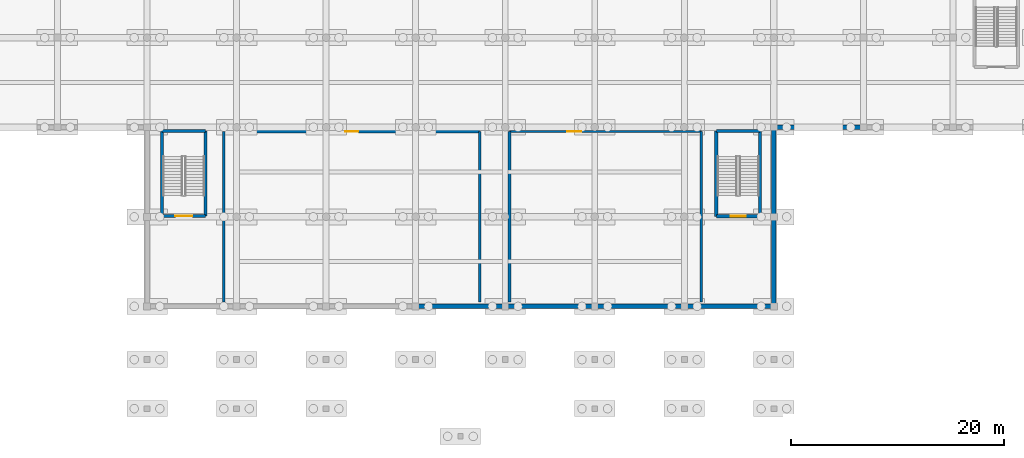
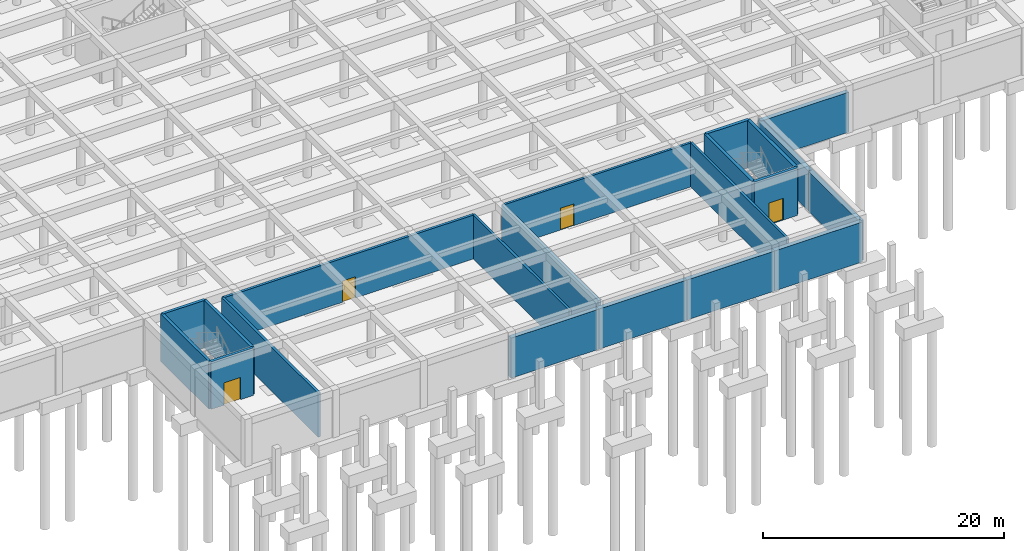
# One storey, part 25 of 51: 21 walls, 4 doors, 4 openings.
"""IFC4 building model written with IfcOpenShell, lengths in metres."""

from ifc_helpers import new_model, si_unit, direction, frame, frame_2d, origin, place, context, subcontext, project, spatial, rectangle, extrude, material, layer, layer_set, type_object, element, fill, save


model = new_model("IFC4")

# Units and contexts
model_context = context("Model", 3, precision=1e-05, world=origin(), true_north=direction((0.0, 1.0)))
body_context = subcontext(model_context, "Body", "Model", "MODEL_VIEW")
ifc_project = project(units=[si_unit("LENGTHUNIT", "METRE"), si_unit("AREAUNIT", "SQUARE_METRE"), si_unit("VOLUMEUNIT", "CUBIC_METRE"), si_unit("PLANEANGLEUNIT", "RADIAN"), si_unit("MASSUNIT", "GRAM", prefix="KILO")], contexts=[model_context])

# Site, building, storey
site_placement = place(None, origin())
site = spatial("IfcSite", under=ifc_project, at=site_placement, CompositionType="ELEMENT")
building_placement = place(site_placement, origin())
building = spatial("IfcBuilding", under=site, at=building_placement, Name="Varncliffe General Hospital", CompositionType="ELEMENT")
storey_placement = place(building_placement, frame((0.0, 0.0, -4.800048828125)))
storey = spatial("IfcBuildingStorey", under=building, at=storey_placement, Name="B1", CompositionType="ELEMENT", Elevation=-4.800048828125)

# Walls
ifc_material_1 = material(Name="Concrete C40/50 (CSA A23.1 40 MPa)", Category="concrete")
ifc_layer_1 = layer(ifc_material_1, 0.419921875)
ifc_layer_set_1 = layer_set([ifc_layer_1], Name="Concrete C40/50 (CSA A23.1 40 MPa)")
wall_type_1 = type_object("IfcWallType", Name="Exterior Insulated Stucco Wall EW28 (420mm)", PredefinedType="SOLIDWALL", material=ifc_layer_set_1)
for number, where, z_axis, x_axis, name in (
    (1, (126.0, 24.0, 0.0), (0.0, 0.0, 1.0), (-1.0, 0.0, 0.0), "B1 Perimeter Retaining Wall 60"),
    (2, (117.60009765625, 24.0, 0.0), (0.0, 0.0, 1.0), (0.0, -1.0, 0.0), "B1 Perimeter Retaining Wall 61"),
):
    element("IfcWall", number, at=place(storey_placement, frame(where, z_axis=z_axis, x_axis=x_axis)), inside=storey, type_object=wall_type_1, Name=name, PredefinedType="SOLIDWALL", context=body_context, shape_type="SweptSolid", body=[
        extrude(rectangle(XDim=8.39990234375, YDim=0.419921875, at=frame_2d((4.199951171875, 0.0))), origin(), (0.0, 0.0, 1.0), 4.050048828125),
    ])
for number, where, z_axis, x_axis, name in (
    (3, (117.60009765625, 15.60009765625, 0.0), (0.0, 0.0, 1.0), (0.0, -1.0, 0.0), "B1 Perimeter Retaining Wall 62"),
    (4, (117.60009765625, 7.199951171875, 0.0), (0.0, 0.0, 1.0), (-1.0, 0.0, 0.0), "B1 Perimeter Retaining Wall 63"),
):
    element("IfcWall", number, at=place(storey_placement, frame(where, z_axis=z_axis, x_axis=x_axis)), inside=storey, type_object=wall_type_1, Name=name, PredefinedType="SOLIDWALL", context=body_context, shape_type="SweptSolid", body=[
        extrude(rectangle(XDim=8.400146484375, YDim=0.419921875, at=frame_2d((4.2001953125, 0.0))), origin(), (0.0, 0.0, 1.0), 4.050048828125),
    ])
wall_1_placement = place(storey_placement, frame((109.199951171875, 7.199951171875, 0.0), z_axis=(0.0, 0.0, 1.0), x_axis=(-1.0, 0.0, 0.0)))
element("IfcWall", 5, at=wall_1_placement, inside=storey, type_object=wall_type_1, Name="B1 Perimeter Retaining Wall 64", PredefinedType="SOLIDWALL", context=body_context, shape_type="SweptSolid", body=[
    extrude(rectangle(XDim=8.39990234375, YDim=0.419921875, at=frame_2d((4.199951171875, 0.0))), origin(), (0.0, 0.0, 1.0), 4.050048828125),
])
wall_2_placement = place(storey_placement, frame((100.800048828125, 7.199951171875, 0.0), z_axis=(0.0, 0.0, 1.0), x_axis=(-1.0, 0.0, 0.0)))
element("IfcWall", 6, at=wall_2_placement, inside=storey, type_object=wall_type_1, Name="B1 Perimeter Retaining Wall 65", PredefinedType="SOLIDWALL", context=body_context, shape_type="SweptSolid", body=[
    extrude(rectangle(XDim=8.400146484375, YDim=0.419921875, at=frame_2d((4.2001953125, 0.0))), origin(), (0.0, 0.0, 1.0), 4.050048828125),
])
wall_3_placement = place(storey_placement, frame((92.39990234375, 7.199951171875, 0.0), z_axis=(0.0, 0.0, 1.0), x_axis=(-1.0, 0.0, 0.0)))
element("IfcWall", 7, at=wall_3_placement, inside=storey, type_object=wall_type_1, Name="B1 Perimeter Retaining Wall 66", PredefinedType="SOLIDWALL", context=body_context, shape_type="SweptSolid", body=[
    extrude(rectangle(XDim=8.39990234375, YDim=0.419921875, at=frame_2d((4.199951171875, 0.0))), origin(), (0.0, 0.0, 1.0), 4.050048828125),
])

# Wall, opening, door
ifc_material_2 = material(Name="Fire-rated gypsum and mineral-wool partition assembly", Category="gypsum")
ifc_layer_2 = layer(ifc_material_2, 0.25)
ifc_layer_set_2 = layer_set([ifc_layer_2], Name="Fire-rated gypsum and mineral-wool partition assembly")
wall_type_2 = type_object("IfcWallType", Name="Interior Partitioning PW38 (250mm)", PredefinedType="PARTITIONING", material=ifc_layer_set_2)
wall_4_placement = place(storey_placement, frame((66.0, 23.60009765625, 0.0), z_axis=(0.0, 0.0, 1.0), x_axis=(1.0, 0.0, 0.0)))
wall_4 = element("IfcWall", 8, at=wall_4_placement, inside=storey, type_object=wall_type_2, Name="B1 Interior Partition Wall PW38-3", PredefinedType="PARTITIONING", context=body_context, shape_type="SweptSolid", body=[
    extrude(rectangle(XDim=24.0, YDim=0.25, at=frame_2d((12.0, 0.0))), origin(), (0.0, 0.0, 1.0), 4.43994140625),
])
opening_1_placement = place(wall_4_placement, frame((11.375, 0.0, 0.0)))
opening_1 = element("IfcOpeningElement", 9, at=opening_1_placement, cuts=wall_4, Name="Opening DC44", PredefinedType="OPENING", context=body_context, shape_type="SweptSolid", body=[
    extrude(rectangle(XDim=1.25, YDim=2.14990234375, at=frame_2d((0.625, 1.074951171875))), frame((0.0, 0.135009765625, 0.0), z_axis=(0.0, -1.0, 0.0), x_axis=(1.0, 0.0, 0.0)), (0.0, 0.0, 1.0), 0.27001953125),
])
ifc_material_3 = material(Name="Fire-rated hospital steel-frame vision-panel door", Category="steel")
door_type_1 = type_object("IfcDoorType", Name="Interior Hospital Door DC44 (1250x2150)", OperationType="NOTDEFINED", PredefinedType="DOOR", material=ifc_material_3)
door_1_placement = place(opening_1_placement, frame((1.25, 0.0, 0.0), z_axis=(0.0, 0.0, 1.0), x_axis=(-1.0, 0.0, 0.0)))
door_1 = element("IfcDoor", 10, at=door_1_placement, inside=storey, type_object=door_type_1, Name="B1 Concourse Mechanical AHU Plant Room Door", OperationType="SINGLE_SWING_RIGHT", OverallHeight=2.14990234375, OverallWidth=1.25, PredefinedType="DOOR", context=body_context, shape_type="SweptSolid", body=[
    extrude(rectangle(XDim=1.25, YDim=2.14990234375, at=frame_2d((0.625, 1.074951171875))), frame((0.0, 0.02490234375, 0.0), z_axis=(0.0, -1.0, 0.0), x_axis=(1.0, 0.0, 0.0)), (0.0, 0.0, 1.0), 0.050048828125),
])
fill(opening_1, door_1)

# Walls
for number, where, z_axis, x_axis, name in (
    (11, (66.0, 7.60009765625, 0.0), (0.0, 0.0, 1.0), (0.0, 1.0, 0.0), "B1 Interior Partition Wall PW38-55"),
    (12, (92.800048828125, 7.60009765625, 0.0), (0.0, 0.0, 1.0), (0.0, 1.0, 0.0), "B1 Interior Partition Wall PW38-57"),
):
    element("IfcWall", number, at=place(storey_placement, frame(where, z_axis=z_axis, x_axis=x_axis)), inside=storey, type_object=wall_type_2, Name=name, PredefinedType="PARTITIONING", context=body_context, shape_type="SweptSolid", body=[
        extrude(rectangle(XDim=16.0, YDim=0.25, at=frame_2d((8.0, 0.0))), origin(), (0.0, 0.0, 1.0), 4.43994140625),
    ])

# Wall, opening, door
ifc_layer_3 = layer(ifc_material_2, 0.22998046875)
ifc_layer_set_3 = layer_set([ifc_layer_3], Name="Fire-rated gypsum and mineral-wool partition assembly")
wall_type_3 = type_object("IfcWallType", Name="Interior Partitioning PW48 (230mm)", PredefinedType="PARTITIONING", material=ifc_layer_set_3)
wall_5_placement = place(storey_placement, frame((92.800048828125, 23.60009765625, 0.0), z_axis=(0.0, 0.0, 1.0), x_axis=(1.0, 0.0, 0.0)))
wall_5 = element("IfcWall", 13, at=wall_5_placement, inside=storey, type_object=wall_type_3, Name="B1 Interior Partition Wall PW48-4", PredefinedType="PARTITIONING", context=body_context, shape_type="SweptSolid", body=[
    extrude(rectangle(XDim=18.0, YDim=0.22998046875, at=frame_2d((9.0, 0.0))), origin(), (0.0, 0.0, 1.0), 4.43994140625),
])
opening_2_placement = place(wall_5_placement, frame((5.430419921875, 0.0, 0.0)))
opening_2 = element("IfcOpeningElement", 14, at=opening_2_placement, cuts=wall_5, Name="Opening DC88", PredefinedType="OPENING", context=body_context, shape_type="SweptSolid", body=[
    extrude(rectangle(XDim=1.300048828125, YDim=2.199951171875, at=frame_2d((0.64990234375, 1.10009765625))), frame((0.0, 0.125, 0.0), z_axis=(0.0, -1.0, 0.0), x_axis=(1.0, 0.0, 0.0)), (0.0, 0.0, 1.0), 0.25),
])
door_type_2 = type_object("IfcDoorType", Name="Interior Hospital Door DC88 (1300x2200)", OperationType="NOTDEFINED", PredefinedType="DOOR", material=ifc_material_3)
door_2_placement = place(opening_2_placement, frame((1.300048828125, 0.0, 0.0), z_axis=(0.0, 0.0, 1.0), x_axis=(-1.0, 0.0, 0.0)))
door_2 = element("IfcDoor", 15, at=door_2_placement, inside=storey, type_object=door_type_2, Name="B1 Concourse Electrical Switchroom Door", OperationType="SINGLE_SWING_LEFT", OverallHeight=2.199951171875, OverallWidth=1.300048828125, PredefinedType="DOOR", context=body_context, shape_type="SweptSolid", body=[
    extrude(rectangle(XDim=1.300048828125, YDim=2.199951171875, at=frame_2d((0.64990234375, 1.10009765625))), frame((0.0, 0.02490234375, 0.0), z_axis=(0.0, -1.0, 0.0), x_axis=(1.0, 0.0, 0.0)), (0.0, 0.0, 1.0), 0.050048828125),
])
fill(opening_2, door_2)

# Walls
for number, where, z_axis, x_axis, name in (
    (16, (90.0, 7.60009765625, 0.0), (0.0, 0.0, 1.0), (0.0, 1.0, 0.0), "B1 Interior Partition Wall PW48-56"),
    (17, (110.800048828125, 7.60009765625, 0.0), (0.0, 0.0, 1.0), (0.0, 1.0, 0.0), "B1 Interior Partition Wall PW48-58"),
):
    element("IfcWall", number, at=place(storey_placement, frame(where, z_axis=z_axis, x_axis=x_axis)), inside=storey, type_object=wall_type_3, Name=name, PredefinedType="PARTITIONING", context=body_context, shape_type="SweptSolid", body=[
        extrude(rectangle(XDim=16.0, YDim=0.22998046875, at=frame_2d((8.0, 0.0))), origin(), (0.0, 0.0, 1.0), 4.43994140625),
    ])
ifc_layer_4 = layer(ifc_material_1, 0.300048828125)
ifc_layer_set_4 = layer_set([ifc_layer_4], Name="Concrete C40/50 (CSA A23.1 40 MPa)")
wall_type_4 = type_object("IfcWallType", Name="Reinforced Concrete Core Shear Wall CW12 (300mm)", PredefinedType="SHEAR", material=ifc_layer_set_4)
wall_6_placement = place(storey_placement, frame((116.300048828125, 15.64990234375, 0.0), z_axis=(0.0, 0.0, 1.0), x_axis=(0.0, 1.0, 0.0)))
element("IfcWall", 18, at=wall_6_placement, inside=storey, type_object=wall_type_4, Name="B1 ST10 Core Shear Wall L", PredefinedType="SHEAR", context=body_context, shape_type="SweptSolid", body=[
    extrude(rectangle(XDim=8.0, YDim=0.300048828125, at=frame_2d((4.0, 0.0))), origin(), (0.0, 0.0, 1.0), 4.800048828125),
])
wall_7_placement = place(storey_placement, frame((116.300048828125, 23.64990234375, 0.0), z_axis=(0.0, 0.0, 1.0), x_axis=(-1.0, 0.0, 0.0)))
element("IfcWall", 19, at=wall_7_placement, inside=storey, type_object=wall_type_4, Name="B1 ST10 Core Shear Wall F", PredefinedType="SHEAR", context=body_context, shape_type="SweptSolid", body=[
    extrude(rectangle(XDim=4.10009765625, YDim=0.300048828125, at=frame_2d((2.050048828125, 0.0))), origin(), (0.0, 0.0, 1.0), 4.800048828125),
])
wall_8_placement = place(storey_placement, frame((112.199951171875, 23.64990234375, 0.0), z_axis=(0.0, 0.0, 1.0), x_axis=(0.0, -1.0, 0.0)))
element("IfcWall", 20, at=wall_8_placement, inside=storey, type_object=wall_type_4, Name="B1 ST10 Core Shear Wall R", PredefinedType="SHEAR", context=body_context, shape_type="SweptSolid", body=[
    extrude(rectangle(XDim=8.0, YDim=0.300048828125, at=frame_2d((4.0, 0.0))), origin(), (0.0, 0.0, 1.0), 4.800048828125),
])

# Wall, opening, door
wall_9_placement = place(storey_placement, frame((112.199951171875, 15.64990234375, 0.0), z_axis=(0.0, 0.0, 1.0), x_axis=(1.0, 0.0, 0.0)))
wall_9 = element("IfcWall", 21, at=wall_9_placement, inside=storey, type_object=wall_type_4, Name="B1 ST10 Core Shear Wall N", PredefinedType="SHEAR", context=body_context, shape_type="SweptSolid", body=[
    extrude(rectangle(XDim=4.10009765625, YDim=0.300048828125, at=frame_2d((2.050048828125, 0.0))), origin(), (0.0, 0.0, 1.0), 4.800048828125),
])
opening_3_placement = place(wall_9_placement, frame((1.35009765625, 0.0, 0.0)))
opening_3 = element("IfcOpeningElement", 22, at=opening_3_placement, cuts=wall_9, Name="Opening DF81", PredefinedType="OPENING", context=body_context, shape_type="SweptSolid", body=[
    extrude(rectangle(XDim=1.39990234375, YDim=2.199951171875, at=frame_2d((0.699951171875, 1.10009765625))), frame((0.0, 0.16015625, 0.0), z_axis=(0.0, -1.0, 0.0), x_axis=(1.0, 0.0, 0.0)), (0.0, 0.0, 1.0), 0.320068359375),
])
door_type_3 = type_object("IfcDoorType", Name="Interior Hospital Door DF81 (1400x2200)", OperationType="NOTDEFINED", PredefinedType="DOOR", material=ifc_material_3)
door_3_placement = place(opening_3_placement, frame((1.39990234375, 0.0, 0.0), z_axis=(0.0, 0.0, 1.0), x_axis=(-1.0, 0.0, 0.0)))
door_3 = element("IfcDoor", 23, at=door_3_placement, inside=storey, type_object=door_type_3, Name="B1 ST10 Protected Exit Stair Door", OperationType="SINGLE_SWING_RIGHT", OverallHeight=2.199951171875, OverallWidth=1.39990234375, PredefinedType="DOOR", context=body_context, shape_type="SweptSolid", body=[
    extrude(rectangle(XDim=1.39990234375, YDim=2.199951171875, at=frame_2d((0.699951171875, 1.10009765625))), frame((0.0, 0.02490234375, 0.0), z_axis=(0.0, -1.0, 0.0), x_axis=(1.0, 0.0, 0.0)), (0.0, 0.0, 1.0), 0.050048828125),
])
fill(opening_3, door_3)

# Walls
ifc_layer_5 = layer(ifc_material_1, 0.280029296875)
ifc_layer_set_5 = layer_set([ifc_layer_5], Name="Concrete C40/50 (CSA A23.1 40 MPa)")
wall_type_5 = type_object("IfcWallType", Name="Reinforced Concrete Core Shear Wall CW13 (280mm)", PredefinedType="SHEAR", material=ifc_layer_set_5)
wall_10_placement = place(storey_placement, frame((64.2900390625, 15.659912109375, 0.0), z_axis=(0.0, 0.0, 1.0), x_axis=(0.0, 1.0, 0.0)))
element("IfcWall", 24, at=wall_10_placement, inside=storey, type_object=wall_type_5, Name="B1 ST09 Core Shear Wall L", PredefinedType="SHEAR", context=body_context, shape_type="SweptSolid", body=[
    extrude(rectangle(XDim=7.97998046875, YDim=0.280029296875, at=frame_2d((3.989990234375, 0.0))), origin(), (0.0, 0.0, 1.0), 4.800048828125),
])
wall_11_placement = place(storey_placement, frame((64.2900390625, 23.639892578125, 0.0), z_axis=(0.0, 0.0, 1.0), x_axis=(-1.0, 0.0, 0.0)))
element("IfcWall", 25, at=wall_11_placement, inside=storey, type_object=wall_type_5, Name="B1 ST09 Core Shear Wall F", PredefinedType="SHEAR", context=body_context, shape_type="SweptSolid", body=[
    extrude(rectangle(XDim=4.080078125, YDim=0.280029296875, at=frame_2d((2.0400390625, 0.0))), origin(), (0.0, 0.0, 1.0), 4.800048828125),
])
wall_12_placement = place(storey_placement, frame((60.2099609375, 23.639892578125, 0.0), z_axis=(0.0, 0.0, 1.0), x_axis=(0.0, -1.0, 0.0)))
element("IfcWall", 26, at=wall_12_placement, inside=storey, type_object=wall_type_5, Name="B1 ST09 Core Shear Wall R", PredefinedType="SHEAR", context=body_context, shape_type="SweptSolid", body=[
    extrude(rectangle(XDim=7.97998046875, YDim=0.280029296875, at=frame_2d((3.989990234375, 0.0))), origin(), (0.0, 0.0, 1.0), 4.800048828125),
])

# Wall, opening, door
wall_13_placement = place(storey_placement, frame((60.2099609375, 15.659912109375, 0.0), z_axis=(0.0, 0.0, 1.0), x_axis=(1.0, 0.0, 0.0)))
wall_13 = element("IfcWall", 27, at=wall_13_placement, inside=storey, type_object=wall_type_5, Name="B1 ST09 Core Shear Wall N", PredefinedType="SHEAR", context=body_context, shape_type="SweptSolid", body=[
    extrude(rectangle(XDim=4.080078125, YDim=0.280029296875, at=frame_2d((2.0400390625, 0.0))), origin(), (0.0, 0.0, 1.0), 4.800048828125),
])
opening_4_placement = place(wall_13_placement, frame((1.239990234375, 0.0, 0.0)))
opening_4 = element("IfcOpeningElement", 28, at=opening_4_placement, cuts=wall_13, Name="Opening DF27", PredefinedType="OPENING", context=body_context, shape_type="SweptSolid", body=[
    extrude(rectangle(XDim=1.60009765625, YDim=2.25, at=frame_2d((0.800048828125, 1.125))), frame((0.0, 0.14990234375, 0.0), z_axis=(0.0, -1.0, 0.0), x_axis=(1.0, 0.0, 0.0)), (0.0, 0.0, 1.0), 0.300048828125),
])
door_type_4 = type_object("IfcDoorType", Name="Interior Hospital Door DF27 (1600x2250)", OperationType="NOTDEFINED", PredefinedType="DOOR", material=ifc_material_3)
door_4_placement = place(opening_4_placement, frame((1.60009765625, 0.0, 0.0), z_axis=(0.0, 0.0, 1.0), x_axis=(-1.0, 0.0, 0.0)))
door_4 = element("IfcDoor", 29, at=door_4_placement, inside=storey, type_object=door_type_4, Name="B1 ST09 Protected Exit Stair Door", OperationType="SINGLE_SWING_LEFT", OverallHeight=2.25, OverallWidth=1.60009765625, PredefinedType="DOOR", context=body_context, shape_type="SweptSolid", body=[
    extrude(rectangle(XDim=1.60009765625, YDim=2.25, at=frame_2d((0.800048828125, 1.125))), frame((0.0, 0.02490234375, 0.0), z_axis=(0.0, -1.0, 0.0), x_axis=(1.0, 0.0, 0.0)), (0.0, 0.0, 1.0), 0.050048828125),
])
fill(opening_4, door_4)

save(model, "model.ifc")
